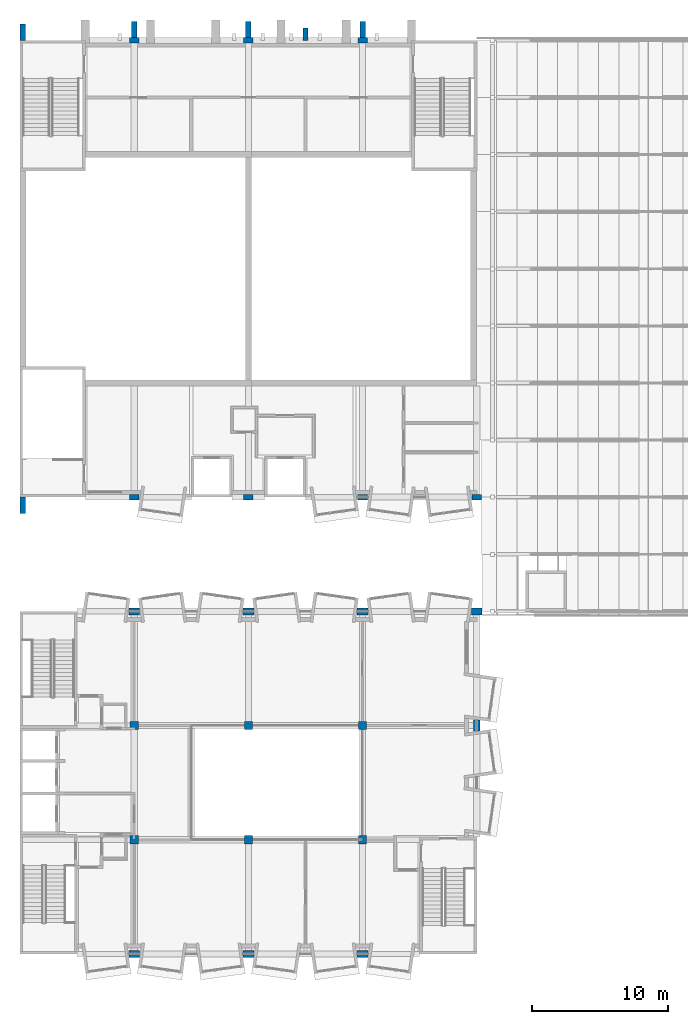
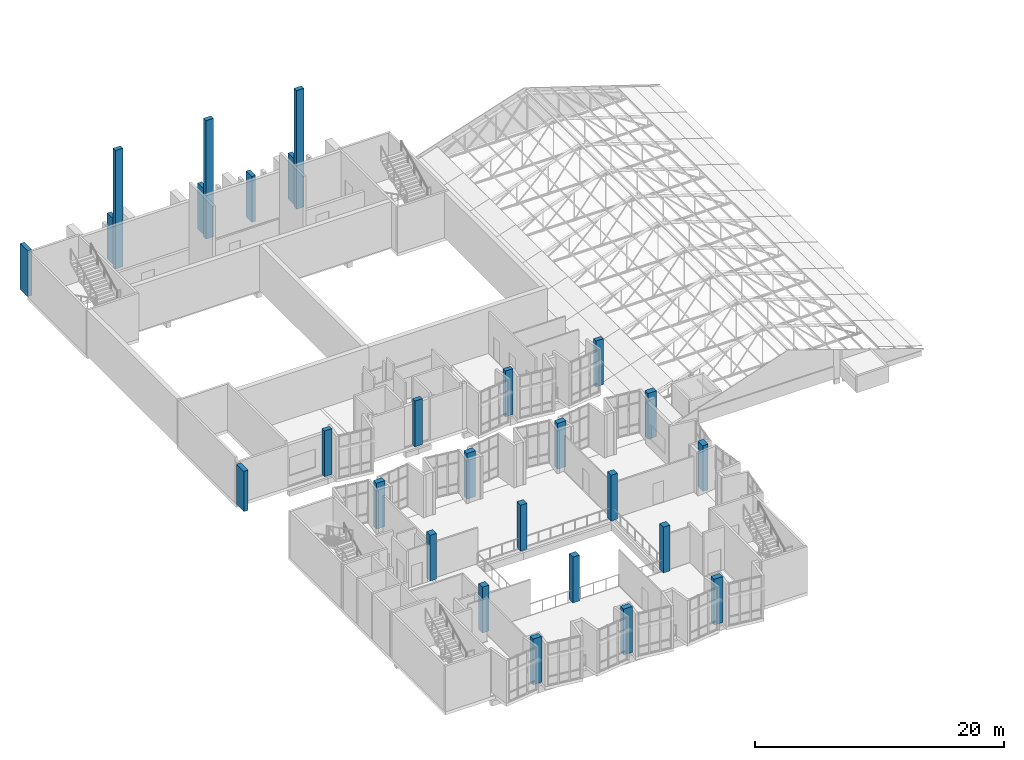
# One storey, part 1 of 95: 27 columns.
"""IFC4 building model written with IfcOpenShell, lengths in metres."""

from ifc_helpers import new_model, si_unit, direction, frame, origin, origin_2d, place, context, subcontext, project, spatial, rectangle, extrude, material, material_profile, profile_set, type_object, element, save


model = new_model("IFC4")

# Units and contexts
model_context = context("Model", 3, precision=1e-05, world=origin(), true_north=direction((0.0, 1.0)))
body_context = subcontext(model_context, "Body", "Model", "MODEL_VIEW")
ifc_project = project(units=[si_unit("LENGTHUNIT", "METRE"), si_unit("AREAUNIT", "SQUARE_METRE"), si_unit("VOLUMEUNIT", "CUBIC_METRE"), si_unit("PLANEANGLEUNIT", "RADIAN"), si_unit("MASSUNIT", "GRAM", prefix="KILO")], contexts=[model_context])

# Site, building, storey
site_placement = place(None, origin())
site = spatial("IfcSite", under=ifc_project, at=site_placement, CompositionType="ELEMENT")
building_placement = place(site_placement, origin())
building = spatial("IfcBuilding", under=site, at=building_placement, Name="Kiln Court Media Centre", CompositionType="ELEMENT")
storey_placement = place(building_placement, frame((0.0, 0.0, 24.60009765625)))
storey = spatial("IfcBuildingStorey", under=building, at=storey_placement, Name="L05", CompositionType="ELEMENT", Elevation=24.60009765625)

# Columns
ifc_material_1 = material(Name="Concrete C40/50", Category="concrete")
ifc_material_profile_1 = material_profile(ifc_material_1, rectangle(XDim=0.60009765625, YDim=0.60009765625, at=origin_2d()), Name="RC 600x600")
ifc_profile_set_1 = profile_set([ifc_material_profile_1], Name="Concrete C40/50")
column_type_1 = type_object("IfcColumnType", Name="Concrete C40/50 column 600x600", PredefinedType="COLUMN", material=ifc_profile_set_1)
for number, where, z_axis, x_axis, name in (
    (1, (8.39990234375, 8.39990234375, 0.0), (0.0, 0.0, 1.0), (1.0, 0.0, 0.0), "L05-C-1001"),
    (2, (8.39990234375, 16.800048828125, 0.0), (0.0, 0.0, 1.0), (1.0, 0.0, 0.0), "L05-C-1002"),
    (3, (16.800048828125, 8.39990234375, 0.0), (0.0, 0.0, 1.0), (1.0, 0.0, 0.0), "L05-C-1005"),
    (4, (16.800048828125, 16.800048828125, 0.0), (0.0, 0.0, 1.0), (1.0, 0.0, 0.0), "L05-C-1006"),
    (5, (25.199951171875, 8.39990234375, 0.0), (0.0, 0.0, 1.0), (1.0, 0.0, 0.0), "L05-C-1009"),
    (6, (25.199951171875, 16.800048828125, 0.0), (0.0, 0.0, 1.0), (1.0, 0.0, 0.0), "L05-C-1010"),
):
    element("IfcColumn", number, at=place(storey_placement, frame(where, z_axis=z_axis, x_axis=x_axis)), inside=storey, type_object=column_type_1, Name=name, PredefinedType="COLUMN", context=body_context, shape_type="SweptSolid", body=[
        extrude(rectangle(XDim=0.60009765625, YDim=0.60009765625, at=origin_2d()), origin(), (0.0, 0.0, 1.0), 4.5),
    ])
ifc_material_2 = material(Name="Concrete C40/50", Category="concrete")
ifc_material_profile_2 = material_profile(ifc_material_2, rectangle(XDim=0.699951171875, YDim=0.39990234375, at=origin_2d()), Name="RC 700x400")
ifc_profile_set_2 = profile_set([ifc_material_profile_2], Name="Concrete C40/50")
column_type_2 = type_object("IfcColumnType", Name="Concrete C40/50 column 700x400", PredefinedType="COLUMN", material=ifc_profile_set_2)
column_1_placement = place(storey_placement, frame((8.39990234375, 33.60009765625, 0.0), z_axis=(0.0, 0.0, 1.0), x_axis=(1.0, 0.0, 0.0)))
element("IfcColumn", 7, at=column_1_placement, inside=storey, type_object=column_type_2, Name="L05-C-1014", PredefinedType="COLUMN", context=body_context, shape_type="SweptSolid", body=[
    extrude(rectangle(XDim=0.699951171875, YDim=0.39990234375, at=origin_2d()), origin(), (0.0, 0.0, 1.0), 4.5),
])
column_2_placement = place(storey_placement, frame((8.39990234375, 67.199951171875, 0.0), z_axis=(0.0, 0.0, 1.0), x_axis=(1.0, 0.0, 0.0)))
element("IfcColumn", 8, at=column_2_placement, inside=storey, type_object=column_type_2, Name="L05-C-1015", PredefinedType="COLUMN", context=body_context, shape_type="SweptSolid", body=[
    extrude(rectangle(XDim=0.699951171875, YDim=0.39990234375, at=origin_2d()), origin(), (0.0, 0.0, 1.0), 11.641845703125),
])
column_3_placement = place(storey_placement, frame((16.800048828125, 33.60009765625, 0.0), z_axis=(0.0, 0.0, 1.0), x_axis=(1.0, 0.0, 0.0)))
element("IfcColumn", 9, at=column_3_placement, inside=storey, type_object=column_type_2, Name="L05-C-1016", PredefinedType="COLUMN", context=body_context, shape_type="SweptSolid", body=[
    extrude(rectangle(XDim=0.699951171875, YDim=0.39990234375, at=origin_2d()), origin(), (0.0, 0.0, 1.0), 4.5),
])
column_4_placement = place(storey_placement, frame((16.800048828125, 67.199951171875, 0.0), z_axis=(0.0, 0.0, 1.0), x_axis=(1.0, 0.0, 0.0)))
element("IfcColumn", 10, at=column_4_placement, inside=storey, type_object=column_type_2, Name="L05-C-1017", PredefinedType="COLUMN", context=body_context, shape_type="SweptSolid", body=[
    extrude(rectangle(XDim=0.699951171875, YDim=0.39990234375, at=origin_2d()), origin(), (0.0, 0.0, 1.0), 11.641845703125),
])
column_5_placement = place(storey_placement, frame((25.199951171875, 33.60009765625, 0.0), z_axis=(0.0, 0.0, 1.0), x_axis=(1.0, 0.0, 0.0)))
element("IfcColumn", 11, at=column_5_placement, inside=storey, type_object=column_type_2, Name="L05-C-1018", PredefinedType="COLUMN", context=body_context, shape_type="SweptSolid", body=[
    extrude(rectangle(XDim=0.699951171875, YDim=0.39990234375, at=origin_2d()), origin(), (0.0, 0.0, 1.0), 4.5),
])
column_6_placement = place(storey_placement, frame((25.199951171875, 67.199951171875, 0.0), z_axis=(0.0, 0.0, 1.0), x_axis=(1.0, 0.0, 0.0)))
element("IfcColumn", 12, at=column_6_placement, inside=storey, type_object=column_type_2, Name="L05-C-1019", PredefinedType="COLUMN", context=body_context, shape_type="SweptSolid", body=[
    extrude(rectangle(XDim=0.699951171875, YDim=0.39990234375, at=origin_2d()), origin(), (0.0, 0.0, 1.0), 11.641845703125),
])
column_7_placement = place(storey_placement, frame((33.60009765625, 33.60009765625, 0.0), z_axis=(0.0, 0.0, 1.0), x_axis=(1.0, 0.0, 0.0)))
element("IfcColumn", 13, at=column_7_placement, inside=storey, type_object=column_type_2, Name="L05-C-1020", PredefinedType="COLUMN", context=body_context, shape_type="SweptSolid", body=[
    extrude(rectangle(XDim=0.699951171875, YDim=0.39990234375, at=origin_2d()), origin(), (0.0, 0.0, 1.0), 4.5),
])
ifc_material_3 = material(Name="Concrete C40/50", Category="concrete")
ifc_material_profile_3 = material_profile(ifc_material_3, rectangle(XDim=0.800048828125, YDim=0.5, at=origin_2d()), Name="RC 800x500")
ifc_profile_set_3 = profile_set([ifc_material_profile_3], Name="Concrete C40/50")
column_type_3 = type_object("IfcColumnType", Name="Concrete C40/50 column 800x500", PredefinedType="COLUMN", material=ifc_profile_set_3)
for number, where, z_axis, x_axis, name in (
    (14, (8.39990234375, 0.0, 0.0), (0.0, 0.0, 1.0), (1.0, 0.0, 0.0), "L05-C-1000"),
    (15, (8.39990234375, 25.199951171875, 0.0), (0.0, 0.0, 1.0), (1.0, 0.0, 0.0), "L05-C-1003"),
    (16, (16.800048828125, 0.0, 0.0), (0.0, 0.0, 1.0), (1.0, 0.0, 0.0), "L05-C-1004"),
    (17, (16.800048828125, 25.199951171875, 0.0), (0.0, 0.0, 1.0), (1.0, 0.0, 0.0), "L05-C-1007"),
    (18, (25.199951171875, 0.0, 0.0), (0.0, 0.0, 1.0), (1.0, 0.0, 0.0), "L05-C-1008"),
    (19, (25.199951171875, 25.199951171875, 0.0), (0.0, 0.0, 1.0), (1.0, 0.0, 0.0), "L05-C-1011"),
    (20, (33.60009765625, 16.800048828125, 0.0), (0.0, 0.0, 1.0), (0.0, 1.0, 0.0), "L05-C-1012"),
    (21, (33.60009765625, 25.199951171875, 0.0), (0.0, 0.0, 1.0), (1.0, 0.0, 0.0), "L05-C-1013"),
):
    element("IfcColumn", number, at=place(storey_placement, frame(where, z_axis=z_axis, x_axis=x_axis)), inside=storey, type_object=column_type_3, Name=name, PredefinedType="COLUMN", context=body_context, shape_type="SweptSolid", body=[
        extrude(rectangle(XDim=0.800048828125, YDim=0.5, at=origin_2d()), origin(), (0.0, 0.0, 1.0), 4.5),
    ])
ifc_material_4 = material(Name="Concrete C40/50", Category="concrete")
ifc_material_profile_4 = material_profile(ifc_material_4, rectangle(XDim=0.35009765625, YDim=0.89990234375, at=origin_2d()), Name="RC 350x900")
ifc_profile_set_4 = profile_set([ifc_material_profile_4], Name="Concrete C40/50")
column_type_4 = type_object("IfcColumnType", Name="Concrete C40/50 pilaster rib 350x900", PredefinedType="PILASTER", material=ifc_profile_set_4)
column_8_placement = place(storey_placement, frame((21.0, 67.64990234375, 0.0), z_axis=(0.0, 0.0, 1.0), x_axis=(1.0, 0.0, 0.0)))
element("IfcColumn", 22, at=column_8_placement, inside=storey, type_object=column_type_4, Name="V4 N rib L05", PredefinedType="PILASTER", context=body_context, shape_type="SweptSolid", body=[
    extrude(rectangle(XDim=0.35009765625, YDim=0.89990234375, at=origin_2d()), origin(), (0.0, 0.0, 1.0), 4.5),
])
ifc_material_5 = material(Name="Concrete C40/50", Category="concrete")
ifc_material_profile_5 = material_profile(ifc_material_5, rectangle(XDim=0.39990234375, YDim=1.199951171875, at=origin_2d()), Name="RC 400x1200")
ifc_profile_set_5 = profile_set([ifc_material_profile_5], Name="Concrete C40/50")
column_type_5 = type_object("IfcColumnType", Name="Concrete C40/50 pilaster rib 400x1200", PredefinedType="PILASTER", material=ifc_profile_set_5)
column_9_placement = place(storey_placement, frame((0.199951171875, 33.0, 0.0), z_axis=(0.0, 0.0, 1.0), x_axis=(1.0, 0.0, 0.0)))
element("IfcColumn", 23, at=column_9_placement, inside=storey, type_object=column_type_5, Name="V4 S rib L05", PredefinedType="PILASTER", context=body_context, shape_type="SweptSolid", body=[
    extrude(rectangle(XDim=0.39990234375, YDim=1.199951171875, at=origin_2d()), origin(), (0.0, 0.0, 1.0), 3.961669921875),
])
for number, where, z_axis, x_axis, name in (
    (24, (0.199951171875, 67.800048828125, 0.0), (0.0, 0.0, 1.0), (1.0, 0.0, 0.0), "V4 N rib L05"),
    (25, (8.39990234375, 68.0, 0.0), (0.0, 0.0, 1.0), (1.0, 0.0, 0.0), "V4 N rib L05"),
    (26, (16.800048828125, 68.0, 0.0), (0.0, 0.0, 1.0), (1.0, 0.0, 0.0), "V4 N rib L05"),
    (27, (25.199951171875, 68.0, 0.0), (0.0, 0.0, 1.0), (1.0, 0.0, 0.0), "V4 N rib L05"),
):
    element("IfcColumn", number, at=place(storey_placement, frame(where, z_axis=z_axis, x_axis=x_axis)), inside=storey, type_object=column_type_5, Name=name, PredefinedType="PILASTER", context=body_context, shape_type="SweptSolid", body=[
        extrude(rectangle(XDim=0.39990234375, YDim=1.199951171875, at=origin_2d()), origin(), (0.0, 0.0, 1.0), 4.5),
    ])

save(model, "model.ifc")
